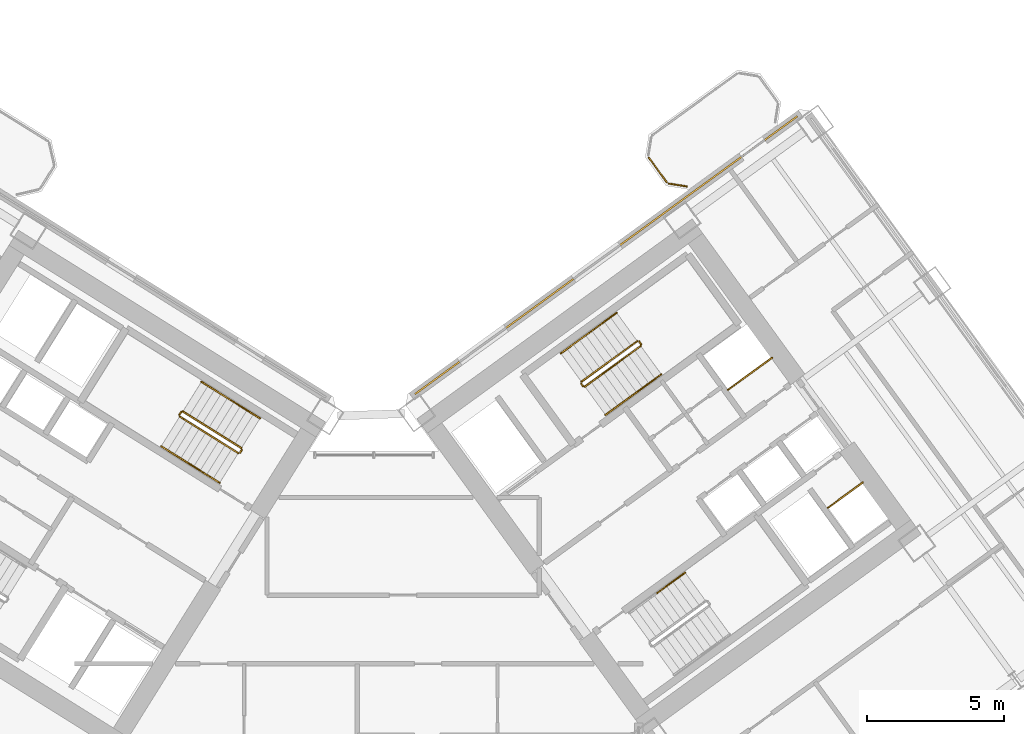
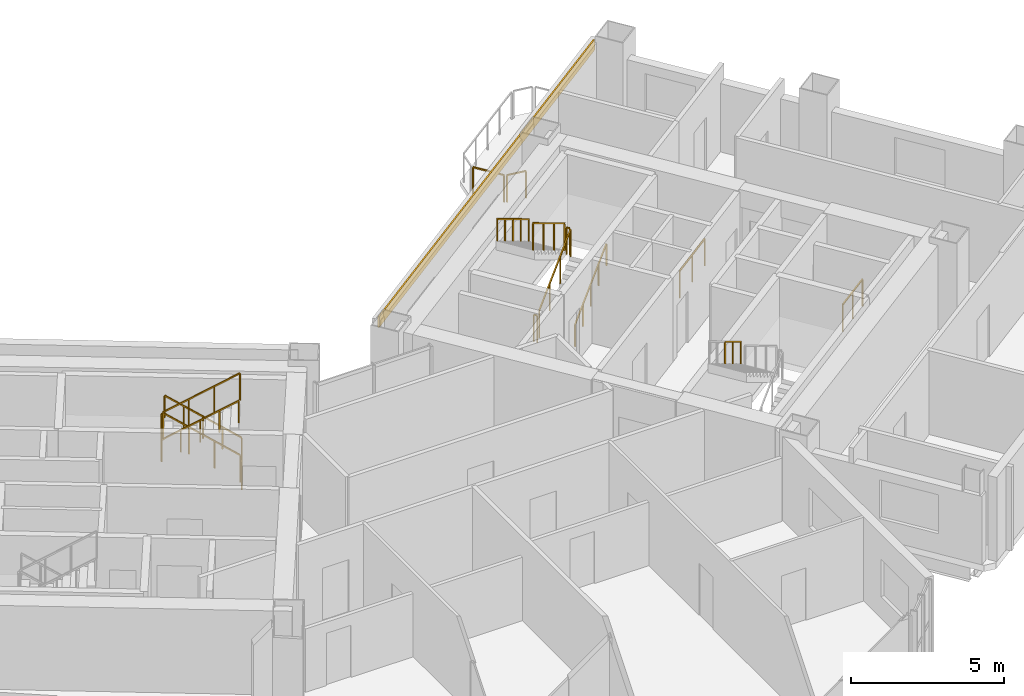
# One storey, part 27 of 28: 21 railings, 1 covering.
"""IFC4 building model written with IfcOpenShell, lengths in metres."""

from ifc_helpers import new_model, si_unit, direction, frame, origin, origin_2d, place, context, subcontext, project, spatial, rectangle, extrude, source, transform, mapped, material, layer, layer_set, type_object, element, save


model = new_model("IFC4")

# Units and contexts
model_context = context("Model", 3, precision=1e-05, world=origin(), true_north=direction((0.0, 1.0)))
body_context = subcontext(model_context, "Body", "Model", "MODEL_VIEW")
ifc_project = project(units=[si_unit("LENGTHUNIT", "METRE"), si_unit("AREAUNIT", "SQUARE_METRE"), si_unit("VOLUMEUNIT", "CUBIC_METRE"), si_unit("PLANEANGLEUNIT", "RADIAN"), si_unit("MASSUNIT", "GRAM", prefix="KILO")], contexts=[model_context])

# Site, building, storey
site_placement = place(None, origin())
site = spatial("IfcSite", under=ifc_project, at=site_placement, CompositionType="ELEMENT")
building_placement = place(site_placement, origin())
building = spatial("IfcBuilding", under=site, at=building_placement, Name="Tlacorven Tower", CompositionType="ELEMENT")
storey_placement = place(building_placement, frame((0.0, 0.0, 42.0)))
storey = spatial("IfcBuildingStorey", under=building, at=storey_placement, Name="L10", CompositionType="ELEMENT", Elevation=42.0)

# Railings
ifc_material_1 = material(Name="Aluminium and painted steel balustrade", Category="steel")
railing_type_1 = type_object("IfcRailingType", Name="RL-GRD-1100", PredefinedType="GUARDRAIL", material=ifc_material_1)
shared_shape_1 = source(origin(), body_context, "Body", "SweptSolid", [
    extrude(rectangle(XDim=0.048095703125, YDim=0.048095703125, at=origin_2d()), frame((0.0, 0.0, 1.076171875), z_axis=(0.808947177504, 0.587881334972, 0.0), x_axis=(-0.587881334972, 0.808947177504, 0.0)), (0.0, 0.0, 1.0), 2.0),
    extrude(rectangle(XDim=0.0419921875, YDim=0.0419921875, at=origin_2d()), origin(), (0.0, 0.0, 1.0), 1.052001953125),
    extrude(rectangle(XDim=0.0419921875, YDim=0.0419921875, at=origin_2d()), frame((0.80908203125, 0.587890625, 0.0)), (0.0, 0.0, 1.0), 1.052001953125),
    extrude(rectangle(XDim=0.0419921875, YDim=0.0419921875, at=origin_2d()), frame((1.617919921875, 1.17578125, 0.0)), (0.0, 0.0, 1.0), 1.052001953125),
])
railing_1_placement = place(storey_placement, frame((55.506103515625, 25.438232421875, 0.0)))
element("IfcRailing", 1, at=railing_1_placement, inside=storey, type_object=railing_type_1, Name="L10 Electrical Riser E Shaft Guard 1", PredefinedType="GUARDRAIL", context=body_context, shape_type="MappedRepresentation", body=[
    mapped(shared_shape_1, transform((0.0, 0.0, 0.0), scale=1.0)),
])
shared_shape_2 = source(origin(), body_context, "Body", "SweptSolid", [
    extrude(rectangle(XDim=0.048095703125, YDim=0.048095703125, at=origin_2d()), frame((0.0, 0.0, 1.076171875), z_axis=(0.809029975545, 0.58776738483, 0.0), x_axis=(-0.58776738483, 0.809029975545, 0.0)), (0.0, 0.0, 1.0), 1.580078125),
    extrude(rectangle(XDim=0.0419921875, YDim=0.0419921875, at=origin_2d()), origin(), (0.0, 0.0, 1.0), 1.052001953125),
    extrude(rectangle(XDim=0.0419921875, YDim=0.0419921875, at=origin_2d()), frame((0.63916015625, 0.46435546875, 0.0)), (0.0, 0.0, 1.0), 1.052001953125),
    extrude(rectangle(XDim=0.0419921875, YDim=0.0419921875, at=origin_2d()), frame((1.2783203125, 0.9287109375, 0.0)), (0.0, 0.0, 1.0), 1.052001953125),
])
railing_2_placement = place(storey_placement, frame((59.160888671875, 21.122314453125, 0.0)))
element("IfcRailing", 2, at=railing_2_placement, inside=storey, type_object=railing_type_1, Name="L10 Smoke Riser E Shaft Guard 1", PredefinedType="GUARDRAIL", context=body_context, shape_type="MappedRepresentation", body=[
    mapped(shared_shape_2, transform((0.0, 0.0, 0.0), scale=1.0)),
])
railing_type_2 = type_object("IfcRailingType", Name="RL-BAL-1100", PredefinedType="BALUSTRADE", material=ifc_material_1)
shared_shape_3 = source(origin(), body_context, "Body", "SweptSolid", [
    extrude(rectangle(XDim=0.048095703125, YDim=0.048095703125, at=origin_2d()), frame((0.0, 0.0, 1.076171875), z_axis=(-0.987718317463, 0.156245081039, 0.0), x_axis=(-0.156245081039, -0.987718317463, 0.0)), (0.0, 0.0, 1.0), 0.66552734375),
    extrude(rectangle(XDim=0.0419921875, YDim=0.0419921875, at=origin_2d()), origin(), (0.0, 0.0, 1.0), 1.052001953125),
    extrude(rectangle(XDim=0.0419921875, YDim=0.0419921875, at=origin_2d()), frame((-0.657470703125, 0.10400390625, 0.0)), (0.0, 0.0, 1.0), 1.052001953125),
])
railing_3_placement = place(storey_placement, frame((54.00341796875, 32.8759765625, 0.0)))
element("IfcRailing", 3, at=railing_3_placement, inside=storey, type_object=railing_type_2, Name="BAL-L10-E-IN Guard Railing 1", PredefinedType="BALUSTRADE", context=body_context, shape_type="MappedRepresentation", body=[
    mapped(shared_shape_3, transform((0.0, 0.0, 0.0), scale=1.0)),
])
shared_shape_4 = source(origin(), body_context, "Body", "SweptSolid", [
    extrude(rectangle(XDim=0.048095703125, YDim=0.048095703125, at=origin_2d()), frame((0.0, 0.0, 1.076171875), z_axis=(-0.587740817519, 0.809049276263, 0.0), x_axis=(-0.809049276263, -0.587740817519, 0.0)), (0.0, 0.0, 1.0), 1.112060546875),
    extrude(rectangle(XDim=0.0419921875, YDim=0.0419921875, at=origin_2d()), origin(), (0.0, 0.0, 1.0), 1.052001953125),
    extrude(rectangle(XDim=0.0419921875, YDim=0.0419921875, at=origin_2d()), frame((-0.653564453125, 0.899658203125, 0.0)), (0.0, 0.0, 1.0), 1.052001953125),
])
railing_4_placement = place(storey_placement, frame((53.26708984375, 33.0283203125, 0.0)))
element("IfcRailing", 4, at=railing_4_placement, inside=storey, type_object=railing_type_2, Name="BAL-L10-E-IN Guard Railing 2", PredefinedType="BALUSTRADE", context=body_context, shape_type="MappedRepresentation", body=[
    mapped(shared_shape_4, transform((0.0, 0.0, 0.0), scale=1.0)),
])

# Covering
ifc_material_2 = material(Name="Precast concrete C45/55", Category="concrete")
ifc_layer = layer(ifc_material_2, 0.06005859375)
ifc_layer_set = layer_set([ifc_layer], Name="Precast concrete C45/55")
covering_type = type_object("IfcCoveringType", Name="CV-CLD-TERC", PredefinedType="CLADDING", material=ifc_layer_set)
shared_shape_5 = source(origin(), body_context, "Body", "SweptSolid", [
    extrude(rectangle(XDim=17.287353515625, YDim=0.06005859375, at=origin_2d()), origin(), (0.0, 0.0, 1.0), 0.419921875),
])
covering_placement = place(storey_placement, frame((51.05224609375, 30.360595703125, 2.929931640625), z_axis=(0.0, 0.0, 1.0), x_axis=(0.809017097486, 0.587785110372, 0.0)))
element("IfcCovering", 5, at=covering_placement, inside=storey, type_object=covering_type, Name="L10 Masonry-Frame Spandrel Cladding 4", PredefinedType="CLADDING", context=body_context, shape_type="MappedRepresentation", body=[
    mapped(shared_shape_5, transform((0.0, 0.0, 0.0), scale=1.0)),
])

# Railings
shared_shape_6 = source(origin(), body_context, "Body", "SweptSolid", [
    extrude(rectangle(XDim=0.048095703125, YDim=0.048095703125, at=origin_2d()), frame((0.0, 0.0, 1.076171875), z_axis=(-0.713319727316, 0.445773895627, 0.540796265334), x_axis=(-0.529955395941, -0.84802551749, 0.0)), (0.0, 0.0, 1.0), 2.995849609375),
    extrude(rectangle(XDim=0.0419921875, YDim=0.0419921875, at=origin_2d()), origin(), (0.0, 0.0, 1.0), 1.052001953125),
    extrude(rectangle(XDim=0.0419921875, YDim=0.0419921875, at=origin_2d()), frame((-0.71240234375, 0.445068359375, 0.5400390625)), (0.0, 0.0, 1.0), 1.052001953125),
    extrude(rectangle(XDim=0.0419921875, YDim=0.0419921875, at=origin_2d()), frame((-1.424560546875, 0.890380859375, 1.080078125)), (0.0, 0.0, 1.0), 1.052001953125),
    extrude(rectangle(XDim=0.0419921875, YDim=0.0419921875, at=origin_2d()), frame((-2.136962890625, 1.33544921875, 1.6201171875)), (0.0, 0.0, 1.0), 1.052001953125),
])
railing_5_placement = place(storey_placement, frame((37.712158203125, 23.3095703125, 0.179931640625)))
element("IfcRailing", 6, at=railing_5_placement, inside=storey, type_object=railing_type_1, Name="L10 ST-W2 stair guard 1", PredefinedType="GUARDRAIL", context=body_context, shape_type="MappedRepresentation", body=[
    mapped(shared_shape_6, transform((0.0, 0.0, 0.0), scale=1.0)),
])
shared_shape_7 = source(origin(), body_context, "Body", "SweptSolid", [
    extrude(rectangle(XDim=0.048095703125, YDim=0.048095703125, at=origin_2d()), frame((0.0, 0.0, 1.076171875), z_axis=(-0.530546985787, -0.847655529016, 0.0), x_axis=(0.847655529016, -0.530546985787, 0.0)), (0.0, 0.0, 1.0), 0.1201171875),
    extrude(rectangle(XDim=0.0419921875, YDim=0.0419921875, at=origin_2d()), origin(), (0.0, 0.0, 1.0), 1.052001953125),
    extrude(rectangle(XDim=0.0419921875, YDim=0.0419921875, at=origin_2d()), frame((-0.063720703125, -0.101806640625, 0.0)), (0.0, 0.0, 1.0), 1.052001953125),
])
railing_6_placement = place(storey_placement, frame((37.728271484375, 23.24072265625, 0.0)))
element("IfcRailing", 7, at=railing_6_placement, inside=storey, type_object=railing_type_1, Name="L10 ST-W2 stair guard 4", PredefinedType="GUARDRAIL", context=body_context, shape_type="MappedRepresentation", body=[
    mapped(shared_shape_7, transform((0.0, 0.0, 0.0), scale=1.0)),
])
railing_type_3 = type_object("IfcRailingType", Name="RL-HND-0900", PredefinedType="HANDRAIL", material=ifc_material_1)
shared_shape_8 = source(origin(), body_context, "Body", "SweptSolid", [
    extrude(rectangle(XDim=0.048095703125, YDim=0.048095703125, at=origin_2d()), frame((0.0, 0.0, 0.8759765625), z_axis=(-0.713359751793, 0.4457479829, 0.540764828981), x_axis=(-0.529911857636, -0.848052724267, 0.0)), (0.0, 0.0, 1.0), 1.498046875),
    extrude(rectangle(XDim=0.0419921875, YDim=0.0419921875, at=origin_2d()), origin(), (0.0, 0.0, 1.0), 0.851806640625),
    extrude(rectangle(XDim=0.0419921875, YDim=0.0419921875, at=origin_2d()), frame((-0.5341796875, 0.333984375, 0.405029296875)), (0.0, 0.0, 1.0), 0.851806640625),
    extrude(rectangle(XDim=0.0419921875, YDim=0.0419921875, at=origin_2d()), frame((-1.068603515625, 0.667724609375, 0.81005859375)), (0.0, 0.0, 1.0), 0.851806640625),
])
for number, where, name in (
    (8, (38.390625, 24.39501953125, 0.179931640625), "L10 ST-W2 stair handrail 1"),
    (9, (37.322021484375, 25.062744140625, 0.989990234375), "L10 ST-W2 stair handrail 2"),
):
    element("IfcRailing", number, at=place(storey_placement, frame(where)), inside=storey, type_object=railing_type_3, Name=name, PredefinedType="HANDRAIL", context=body_context, shape_type="MappedRepresentation", body=[
        mapped(shared_shape_8, transform((0.0, 0.0, 0.0), scale=1.0)),
    ])
shared_shape_9 = source(origin(), body_context, "Body", "SweptSolid", [
    extrude(rectangle(XDim=0.048095703125, YDim=0.048095703125, at=origin_2d()), frame((0.0, 0.0, 0.8759765625), z_axis=(0.713359751793, -0.4457479829, 0.540764828981), x_axis=(0.529911857636, 0.848052724267, 0.0)), (0.0, 0.0, 1.0), 1.498046875),
    extrude(rectangle(XDim=0.0419921875, YDim=0.0419921875, at=origin_2d()), origin(), (0.0, 0.0, 1.0), 0.851806640625),
    extrude(rectangle(XDim=0.0419921875, YDim=0.0419921875, at=origin_2d()), frame((0.5341796875, -0.333984375, 0.405029296875)), (0.0, 0.0, 1.0), 0.851806640625),
    extrude(rectangle(XDim=0.0419921875, YDim=0.0419921875, at=origin_2d()), frame((1.068603515625, -0.667724609375, 0.81005859375)), (0.0, 0.0, 1.0), 0.851806640625),
])
for number, where, name in (
    (10, (34.7802734375, 23.372802734375, 1.97998046875), "L10 ST-W2 stair handrail 3"),
    (11, (35.848876953125, 22.705078125, 2.7900390625), "L10 ST-W2 stair handrail 4"),
):
    element("IfcRailing", number, at=place(storey_placement, frame(where)), inside=storey, type_object=railing_type_3, Name=name, PredefinedType="HANDRAIL", context=body_context, shape_type="MappedRepresentation", body=[
        mapped(shared_shape_9, transform((0.0, 0.0, 0.0), scale=1.0)),
    ])
shared_shape_10 = source(origin(), body_context, "Body", "SweptSolid", [
    extrude(rectangle(XDim=0.048095703125, YDim=0.048095703125, at=origin_2d()), frame((0.0, 0.0, 1.076171875), z_axis=(-0.531462422766, -0.847081869236, 0.0), x_axis=(0.847081869236, -0.531462422766, 0.0)), (0.0, 0.0, 1.0), 0.119873046875),
    extrude(rectangle(XDim=0.0419921875, YDim=0.0419921875, at=origin_2d()), origin(), (0.0, 0.0, 1.0), 1.052001953125),
    extrude(rectangle(XDim=0.0419921875, YDim=0.0419921875, at=origin_2d()), frame((-0.063720703125, -0.1015625, 0.0)), (0.0, 0.0, 1.0), 1.052001953125),
])
railing_7_placement = place(storey_placement, frame((35.50634765625, 24.62890625, 1.800048828125)))
element("IfcRailing", 12, at=railing_7_placement, inside=storey, type_object=railing_type_1, Name="L10 ST-W2 stair guard 2", PredefinedType="GUARDRAIL", context=body_context, shape_type="MappedRepresentation", body=[
    mapped(shared_shape_10, transform((0.0, 0.0, 0.0), scale=1.0)),
])
shared_shape_11 = source(origin(), body_context, "Body", "SweptSolid", [
    extrude(rectangle(XDim=0.048095703125, YDim=0.048095703125, at=origin_2d()), frame((0.0, 0.0, 1.076171875), z_axis=(0.713385662783, -0.445682681033, 0.540784470897), x_axis=(0.52984217967, 0.848096259066, 0.0)), (0.0, 0.0, 1.0), 2.995849609375),
    extrude(rectangle(XDim=0.0419921875, YDim=0.0419921875, at=origin_2d()), origin(), (0.0, 0.0, 1.0), 1.052001953125),
    extrude(rectangle(XDim=0.0419921875, YDim=0.0419921875, at=origin_2d()), frame((0.71240234375, -0.445068359375, 0.5400390625)), (0.0, 0.0, 1.0), 1.052001953125),
    extrude(rectangle(XDim=0.0419921875, YDim=0.0419921875, at=origin_2d()), frame((1.4248046875, -0.89013671875, 1.080078125)), (0.0, 0.0, 1.0), 1.052001953125),
    extrude(rectangle(XDim=0.0419921875, YDim=0.0419921875, at=origin_2d()), frame((2.13720703125, -1.335205078125, 1.6201171875)), (0.0, 0.0, 1.0), 1.052001953125),
])
railing_8_placement = place(storey_placement, frame((35.45849609375, 24.458251953125, 1.97998046875)))
element("IfcRailing", 13, at=railing_8_placement, inside=storey, type_object=railing_type_1, Name="L10 ST-W2 stair guard 3", PredefinedType="GUARDRAIL", context=body_context, shape_type="MappedRepresentation", body=[
    mapped(shared_shape_11, transform((0.0, 0.0, 0.0), scale=1.0)),
])
shared_shape_12 = source(origin(), body_context, "Body", "SweptSolid", [
    extrude(rectangle(XDim=0.048095703125, YDim=0.048095703125, at=origin_2d()), frame((0.0, 0.0, 1.076171875), z_axis=(-0.587201422542, 0.809440849824, 0.0), x_axis=(-0.809440849824, -0.587201422542, 0.0)), (0.0, 0.0, 1.0), 0.11962890625),
    extrude(rectangle(XDim=0.0419921875, YDim=0.0419921875, at=origin_2d()), origin(), (0.0, 0.0, 1.0), 1.052001953125),
    extrude(rectangle(XDim=0.0419921875, YDim=0.0419921875, at=origin_2d()), frame((-0.0703125, 0.096923828125, 0.0)), (0.0, 0.0, 1.0), 1.052001953125),
])
for number, where, name in (
    (14, (52.326904296875, 27.10888671875, 1.800048828125), "L10 ST-E1 stair guard 2"),
    (15, (50.207275390625, 25.56884765625, 0.0), "L10 ST-E1 stair guard 4"),
):
    element("IfcRailing", number, at=place(storey_placement, frame(where)), inside=storey, type_object=railing_type_1, Name=name, PredefinedType="GUARDRAIL", context=body_context, shape_type="MappedRepresentation", body=[
        mapped(shared_shape_12, transform((0.0, 0.0, 0.0), scale=1.0)),
    ])
shared_shape_13 = source(origin(), body_context, "Body", "SweptSolid", [
    extrude(rectangle(XDim=0.048095703125, YDim=0.048095703125, at=origin_2d()), frame((0.0, 0.0, 1.076171875), z_axis=(0.680488636597, 0.494434078831, 0.540805100894), x_axis=(-0.5878087079, 0.808999952359, 0.0)), (0.0, 0.0, 1.0), 2.995849609375),
    extrude(rectangle(XDim=0.0419921875, YDim=0.0419921875, at=origin_2d()), origin(), (0.0, 0.0, 1.0), 1.052001953125),
    extrude(rectangle(XDim=0.0419921875, YDim=0.0419921875, at=origin_2d()), frame((0.679443359375, 0.49365234375, 0.5400390625)), (0.0, 0.0, 1.0), 1.052001953125),
    extrude(rectangle(XDim=0.0419921875, YDim=0.0419921875, at=origin_2d()), frame((1.359130859375, 0.987548828125, 1.080078125)), (0.0, 0.0, 1.0), 1.052001953125),
    extrude(rectangle(XDim=0.0419921875, YDim=0.0419921875, at=origin_2d()), frame((2.03857421875, 1.481201171875, 1.6201171875)), (0.0, 0.0, 1.0), 1.052001953125),
])
railing_9_placement = place(storey_placement, frame((50.27734375, 25.557861328125, 0.179931640625)))
element("IfcRailing", 16, at=railing_9_placement, inside=storey, type_object=railing_type_1, Name="L10 ST-E1 stair guard 1", PredefinedType="GUARDRAIL", context=body_context, shape_type="MappedRepresentation", body=[
    mapped(shared_shape_13, transform((0.0, 0.0, 0.0), scale=1.0)),
])
shared_shape_14 = source(origin(), body_context, "Body", "SweptSolid", [
    extrude(rectangle(XDim=0.048095703125, YDim=0.048095703125, at=origin_2d()), frame((0.0, 0.0, 1.076171875), z_axis=(-0.680488636597, -0.494434078831, 0.540805100894), x_axis=(0.5878087079, -0.808999952359, 0.0)), (0.0, 0.0, 1.0), 2.995849609375),
    extrude(rectangle(XDim=0.0419921875, YDim=0.0419921875, at=origin_2d()), origin(), (0.0, 0.0, 1.0), 1.052001953125),
    extrude(rectangle(XDim=0.0419921875, YDim=0.0419921875, at=origin_2d()), frame((-0.679443359375, -0.49365234375, 0.5400390625)), (0.0, 0.0, 1.0), 1.052001953125),
    extrude(rectangle(XDim=0.0419921875, YDim=0.0419921875, at=origin_2d()), frame((-1.359130859375, -0.987548828125, 1.080078125)), (0.0, 0.0, 1.0), 1.052001953125),
    extrude(rectangle(XDim=0.0419921875, YDim=0.0419921875, at=origin_2d()), frame((-2.03857421875, -1.481201171875, 1.6201171875)), (0.0, 0.0, 1.0), 1.052001953125),
])
railing_10_placement = place(storey_placement, frame((52.1865234375, 27.217041015625, 1.97998046875)))
element("IfcRailing", 17, at=railing_10_placement, inside=storey, type_object=railing_type_1, Name="L10 ST-E1 stair guard 3", PredefinedType="GUARDRAIL", context=body_context, shape_type="MappedRepresentation", body=[
    mapped(shared_shape_14, transform((0.0, 0.0, 0.0), scale=1.0)),
])
shared_shape_15 = source(origin(), body_context, "Body", "SweptSolid", [
    extrude(rectangle(XDim=0.048095703125, YDim=0.048095703125, at=origin_2d()), frame((0.0, 0.0, 0.8759765625), z_axis=(0.680516055757, 0.494372502302, 0.540826891737), x_axis=(-0.587745292299, 0.809046025502, 0.0)), (0.0, 0.0, 1.0), 1.497802734375),
    extrude(rectangle(XDim=0.0419921875, YDim=0.0419921875, at=origin_2d()), origin(), (0.0, 0.0, 1.0), 0.851806640625),
    extrude(rectangle(XDim=0.0419921875, YDim=0.0419921875, at=origin_2d()), frame((0.509765625, 0.3701171875, 0.405029296875)), (0.0, 0.0, 1.0), 0.851806640625),
    extrude(rectangle(XDim=0.0419921875, YDim=0.0419921875, at=origin_2d()), frame((1.019287109375, 0.740478515625, 0.81005859375)), (0.0, 0.0, 1.0), 0.851806640625),
])
railing_11_placement = place(storey_placement, frame((51.029541015625, 24.522216796875, 0.179931640625)))
element("IfcRailing", 18, at=railing_11_placement, inside=storey, type_object=railing_type_3, Name="L10 ST-E1 stair handrail 1", PredefinedType="HANDRAIL", context=body_context, shape_type="MappedRepresentation", body=[
    mapped(shared_shape_15, transform((0.0, 0.0, 0.0), scale=1.0)),
])
shared_shape_16 = source(origin(), body_context, "Body", "SweptSolid", [
    extrude(rectangle(XDim=0.048095703125, YDim=0.048095703125, at=origin_2d()), frame((0.0, 0.0, 0.8759765625), z_axis=(0.680548719995, 0.49444080854, 0.540723336433), x_axis=(-0.587779977844, 0.80902082646, 0.0)), (0.0, 0.0, 1.0), 1.498046875),
    extrude(rectangle(XDim=0.0419921875, YDim=0.0419921875, at=origin_2d()), origin(), (0.0, 0.0, 1.0), 0.851806640625),
    extrude(rectangle(XDim=0.0419921875, YDim=0.0419921875, at=origin_2d()), frame((0.509765625, 0.370361328125, 0.405029296875)), (0.0, 0.0, 1.0), 0.851806640625),
    extrude(rectangle(XDim=0.0419921875, YDim=0.0419921875, at=origin_2d()), frame((1.01953125, 0.74072265625, 0.81005859375)), (0.0, 0.0, 1.0), 0.851806640625),
])
railing_12_placement = place(storey_placement, frame((52.048828125, 25.2626953125, 0.989990234375)))
element("IfcRailing", 19, at=railing_12_placement, inside=storey, type_object=railing_type_3, Name="L10 ST-E1 stair handrail 2", PredefinedType="HANDRAIL", context=body_context, shape_type="MappedRepresentation", body=[
    mapped(shared_shape_16, transform((0.0, 0.0, 0.0), scale=1.0)),
])
shared_shape_17 = source(origin(), body_context, "Body", "SweptSolid", [
    extrude(rectangle(XDim=0.048095703125, YDim=0.048095703125, at=origin_2d()), frame((0.0, 0.0, 0.8759765625), z_axis=(-0.680603554404, -0.494317667746, 0.540766904577), x_axis=(0.587653156371, -0.809112951205, 0.0)), (0.0, 0.0, 1.0), 1.498046875),
    extrude(rectangle(XDim=0.0419921875, YDim=0.0419921875, at=origin_2d()), origin(), (0.0, 0.0, 1.0), 0.851806640625),
    extrude(rectangle(XDim=0.0419921875, YDim=0.0419921875, at=origin_2d()), frame((-0.509765625, -0.3701171875, 0.405029296875)), (0.0, 0.0, 1.0), 0.851806640625),
    extrude(rectangle(XDim=0.0419921875, YDim=0.0419921875, at=origin_2d()), frame((-1.01953125, -0.740478515625, 0.81005859375)), (0.0, 0.0, 1.0), 0.851806640625),
])
railing_13_placement = place(storey_placement, frame((51.434326171875, 28.25244140625, 1.97998046875)))
element("IfcRailing", 20, at=railing_13_placement, inside=storey, type_object=railing_type_3, Name="L10 ST-E1 stair handrail 3", PredefinedType="HANDRAIL", context=body_context, shape_type="MappedRepresentation", body=[
    mapped(shared_shape_17, transform((0.0, 0.0, 0.0), scale=1.0)),
])
shared_shape_18 = source(origin(), body_context, "Body", "SweptSolid", [
    extrude(rectangle(XDim=0.048095703125, YDim=0.048095703125, at=origin_2d()), frame((0.0, 0.0, 0.8759765625), z_axis=(-0.680461216233, -0.494495647917, 0.540783309093), x_axis=(0.587872112667, -0.808953879494, 0.0)), (0.0, 0.0, 1.0), 1.498046875),
    extrude(rectangle(XDim=0.0419921875, YDim=0.0419921875, at=origin_2d()), origin(), (0.0, 0.0, 1.0), 0.851806640625),
    extrude(rectangle(XDim=0.0419921875, YDim=0.0419921875, at=origin_2d()), frame((-0.509765625, -0.370361328125, 0.405029296875)), (0.0, 0.0, 1.0), 0.851806640625),
    extrude(rectangle(XDim=0.0419921875, YDim=0.0419921875, at=origin_2d()), frame((-1.019287109375, -0.74072265625, 0.81005859375)), (0.0, 0.0, 1.0), 0.851806640625),
])
railing_14_placement = place(storey_placement, frame((50.414794921875, 27.511962890625, 2.7900390625)))
element("IfcRailing", 21, at=railing_14_placement, inside=storey, type_object=railing_type_3, Name="L10 ST-E1 stair handrail 4", PredefinedType="HANDRAIL", context=body_context, shape_type="MappedRepresentation", body=[
    mapped(shared_shape_18, transform((0.0, 0.0, 0.0), scale=1.0)),
])
shared_shape_19 = source(origin(), body_context, "Body", "SweptSolid", [
    extrude(rectangle(XDim=0.048095703125, YDim=0.048095703125, at=origin_2d()), frame((0.0, 0.0, 0.8759765625), z_axis=(-0.680516055757, -0.494372502302, 0.540826891737), x_axis=(0.587745292299, -0.809046025502, 0.0)), (0.0, 0.0, 1.0), 1.497802734375),
    extrude(rectangle(XDim=0.0419921875, YDim=0.0419921875, at=origin_2d()), origin(), (0.0, 0.0, 1.0), 0.851806640625),
    extrude(rectangle(XDim=0.0419921875, YDim=0.0419921875, at=origin_2d()), frame((-0.509765625, -0.3701171875, 0.405029296875)), (0.0, 0.0, 1.0), 0.851806640625),
    extrude(rectangle(XDim=0.0419921875, YDim=0.0419921875, at=origin_2d()), frame((-1.019287109375, -0.740478515625, 0.81005859375)), (0.0, 0.0, 1.0), 0.851806640625),
])
railing_15_placement = place(storey_placement, frame((53.938232421875, 18.749267578125, 1.97998046875)))
element("IfcRailing", 22, at=railing_15_placement, inside=storey, type_object=railing_type_3, Name="L10 ST-E2 stair handrail 3", PredefinedType="HANDRAIL", context=body_context, shape_type="MappedRepresentation", body=[
    mapped(shared_shape_19, transform((0.0, 0.0, 0.0), scale=1.0)),
])

save(model, "model.ifc")
